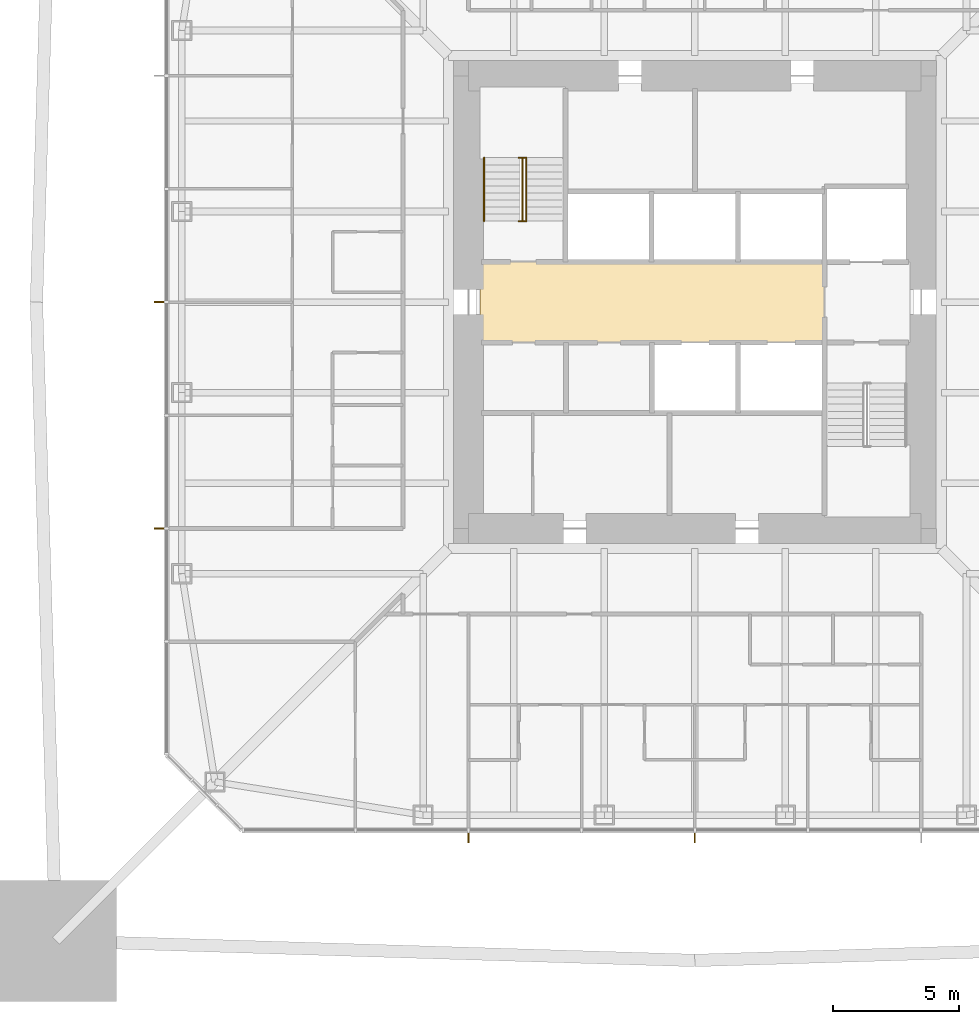
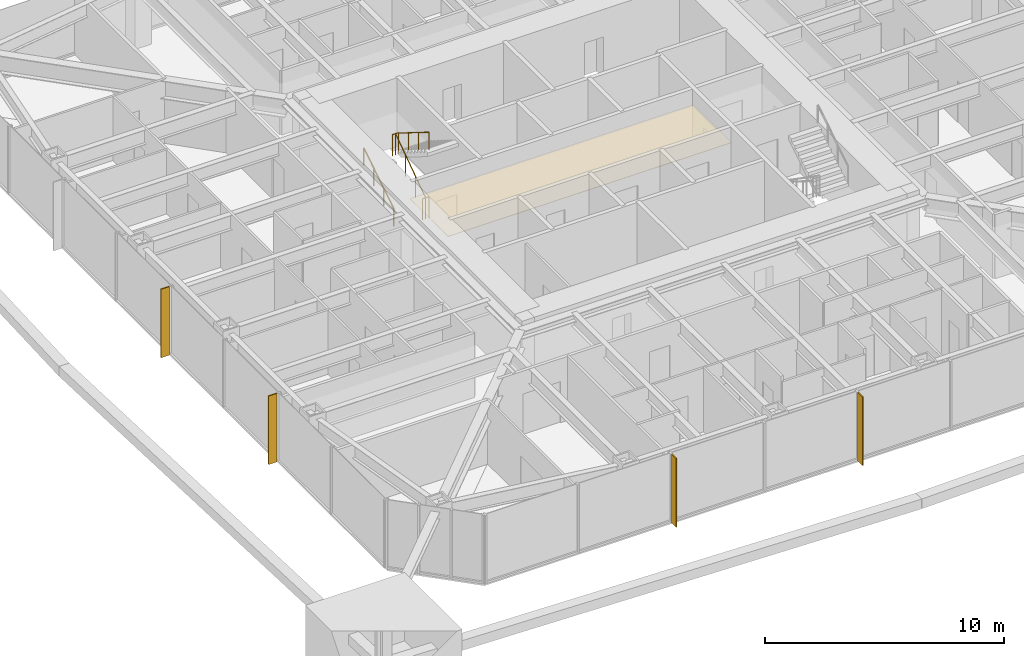
# One storey, part 23 of 27: 4 shading devices, 3 railings, 1 covering.
"""IFC4 building model written with IfcOpenShell, lengths in metres."""

from ifc_helpers import new_model, si_unit, direction, frame, origin, origin_2d, place, context, subcontext, project, spatial, polyline, rectangle, circle, outline, extrude, material, layer, layer_set, constituent, constituent_set, type_object, element, save


model = new_model("IFC4")

# Units and contexts
model_context = context("Model", 3, precision=1e-05, world=origin(), true_north=direction((0.0, 1.0)))
body_context = subcontext(model_context, "Body", "Model", "MODEL_VIEW")
ifc_project = project(units=[si_unit("LENGTHUNIT", "METRE"), si_unit("AREAUNIT", "SQUARE_METRE"), si_unit("VOLUMEUNIT", "CUBIC_METRE"), si_unit("PLANEANGLEUNIT", "RADIAN"), si_unit("MASSUNIT", "GRAM", prefix="KILO")], contexts=[model_context])

# Site, building, storey
site_placement = place(None, origin())
site = spatial("IfcSite", under=ifc_project, at=site_placement, CompositionType="ELEMENT")
building_placement = place(site_placement, origin())
building = spatial("IfcBuilding", under=site, at=building_placement, Name="Iwan Alto Co-Living Towers", CompositionType="ELEMENT")
storey_placement = place(building_placement, frame((0.0, 0.0, 91.0)))
storey = spatial("IfcBuildingStorey", under=building, at=storey_placement, Name="L24", CompositionType="ELEMENT", Elevation=91.0)

# Covering
ifc_material_1 = material(Name="Mineral fibre acoustic tiles on steel grid", Category="steel")
ifc_layer_1 = layer(ifc_material_1, 0.02001953125)
ifc_layer_set_1 = layer_set([ifc_layer_1], Name="ACOUSTIC TILE CEILING 20")
covering_type = type_object("IfcCoveringType", Name="ACOUSTIC TILE CEILING 20", PredefinedType="CEILING", material=ifc_layer_set_1)
covering_placement = place(storey_placement, frame((0.0, 0.0, 2.60009765625)))
element("IfcCovering", 1, at=covering_placement, inside=storey, type_object=covering_type, Name="Ceiling Lift lobby L24", PredefinedType="CEILING", context=body_context, shape_type="SweptSolid", body=[
    extrude(outline(polyline([(-8.550048828125, -1.60009765625), (-8.550048828125, 1.60009765625), (5.14990234375, 1.60009765625), (5.14990234375, -1.60009765625), (-8.550048828125, -1.60009765625)])), origin(), (0.0, 0.0, 1.0), 0.02001953125),
])

# Shading devices
ifc_material_2 = material(Name="Aluminium 6063-T6 bronze anodised", Category="aluminium")
ifc_layer_2 = layer(ifc_material_2, 0.050048828125)
ifc_layer_set_2 = layer_set([ifc_layer_2], Name="BRONZE FIN 50X400")
shading_device_type = type_object("IfcShadingDeviceType", Name="BRONZE FIN 50X400", PredefinedType="USERDEFINED", material=ifc_layer_set_2)
for number, where, z_axis, x_axis, name in (
    (2, (-9.0, -21.300048828125, 0.0), (0.0, 0.0, 1.0), (1.0, 0.0, 0.0), "Bronze fin L24"),
    (3, (0.0, -21.300048828125, 0.0), (0.0, 0.0, 1.0), (1.0, 0.0, 0.0), "Bronze fin L24"),
    (4, (-21.300048828125, 0.0, 0.0), (0.0, 0.0, 1.0), (0.0, -1.0, 0.0), "Bronze fin L24"),
    (5, (-21.300048828125, -9.0, 0.0), (0.0, 0.0, 1.0), (0.0, -1.0, 0.0), "Bronze fin L24"),
):
    element("IfcShadingDevice", number, at=place(storey_placement, frame(where, z_axis=z_axis, x_axis=x_axis)), inside=storey, type_object=shading_device_type, Name=name, ObjectType="LOUVER", PredefinedType="USERDEFINED", context=body_context, shape_type="SweptSolid", body=[
        extrude(rectangle(XDim=0.050048828125, YDim=0.39990234375, at=origin_2d()), origin(), (0.0, 0.0, 1.0), 3.5),
    ])

# Railings
ifc_material_3 = material(Name="Steel ASTM A500 Gr C", Category="steel")
ifc_constituent_1 = constituent(ifc_material_3, Name="Rails and posts", Category="Framing")
ifc_material_4 = material(Name="Steel ASTM A36", Category="steel")
ifc_constituent_2 = constituent(ifc_material_4, Name="Bar infill", Category="Infill")
ifc_constituent_set = constituent_set(constituents=[ifc_constituent_1, ifc_constituent_2], Name="STAIR GUARD 1100")
railing_type_1 = type_object("IfcRailingType", Name="STAIR GUARD 1100", PredefinedType="GUARDRAIL", material=ifc_constituent_set)
railing_1_placement = place(storey_placement, frame((-6.85009765625, 3.219970703125, 0.0)))
element("IfcRailing", 6, at=railing_1_placement, inside=storey, type_object=railing_type_1, Name="Stair T1-S1 well guard L24", PredefinedType="GUARDRAIL", context=body_context, shape_type="SweptSolid", body=[
    extrude(circle(Radius=0.02392578125, at=origin_2d()), frame((0.0, 0.0, 1.076171875), z_axis=(0.0, 0.821372036852, 0.570392826987), x_axis=(-1.0, 0.0, 0.0)), (0.0, 0.0, 1.0), 3.068115234375),
    extrude(circle(Radius=0.02392578125, at=origin_2d()), frame((-0.14990234375, 0.0, 1.076171875), z_axis=(1.0, 0.0, 0.0), x_axis=(0.0, 1.0, 0.0)), (0.0, 0.0, 1.0), 0.300048828125),
    extrude(circle(Radius=0.02392578125, at=origin_2d()), frame((-0.14990234375, 2.52001953125, 2.826171875), z_axis=(1.0, 0.0, 0.0), x_axis=(0.0, 1.0, 0.0)), (0.0, 0.0, 1.0), 0.300048828125),
    extrude(circle(Radius=0.02099609375, at=origin_2d()), origin(), (0.0, 0.0, 1.0), 1.052001953125),
    extrude(circle(Radius=0.02099609375, at=origin_2d()), frame((0.0, 0.840087890625, 0.583251953125)), (0.0, 0.0, 1.0), 1.052001953125),
    extrude(circle(Radius=0.02099609375, at=origin_2d()), frame((0.0, 1.679931640625, 1.166748046875)), (0.0, 0.0, 1.0), 1.052001953125),
    extrude(circle(Radius=0.02099609375, at=origin_2d()), frame((0.0, 2.52001953125, 1.75)), (0.0, 0.0, 1.0), 1.052001953125),
    extrude(circle(Radius=0.02099609375, at=origin_2d()), frame((-0.14990234375, 0.0, 0.0)), (0.0, 0.0, 1.0), 1.052001953125),
    extrude(circle(Radius=0.02099609375, at=origin_2d()), frame((0.150146484375, 0.0, 0.0)), (0.0, 0.0, 1.0), 1.052001953125),
    extrude(circle(Radius=0.02099609375, at=origin_2d()), frame((-0.14990234375, 2.52001953125, 1.75)), (0.0, 0.0, 1.0), 1.052001953125),
    extrude(circle(Radius=0.02099609375, at=origin_2d()), frame((0.150146484375, 2.52001953125, 1.75)), (0.0, 0.0, 1.0), 1.052001953125),
])
ifc_material_5 = material(Name="Steel ASTM A500 Gr C", Category="steel")
railing_type_2 = type_object("IfcRailingType", Name="STAIR HANDRAIL 900", PredefinedType="HANDRAIL", material=ifc_material_5)
railing_2_placement = place(storey_placement, frame((-8.3798828125, 3.219970703125, 0.175048828125)))
element("IfcRailing", 7, at=railing_2_placement, inside=storey, type_object=railing_type_2, Name="Stair T1-S1 handrail 1 L24", PredefinedType="HANDRAIL", context=body_context, shape_type="SweptSolid", body=[
    extrude(circle(Radius=0.02392578125, at=origin_2d()), frame((0.0, 0.0, 0.8759765625), z_axis=(0.0, 0.848007534815, 0.529984170421), x_axis=(-1.0, 0.0, 0.0)), (0.0, 0.0, 1.0), 2.9716796875),
    extrude(circle(Radius=0.02099609375, at=origin_2d()), origin(), (0.0, 0.0, 1.0), 0.851806640625),
    extrude(circle(Radius=0.02099609375, at=origin_2d()), frame((0.0, 0.840087890625, 0.52490234375)), (0.0, 0.0, 1.0), 0.851806640625),
    extrude(circle(Radius=0.02099609375, at=origin_2d()), frame((0.0, 1.679931640625, 1.050048828125)), (0.0, 0.0, 1.0), 0.851806640625),
    extrude(circle(Radius=0.02099609375, at=origin_2d()), frame((0.0, 2.52001953125, 1.574951171875)), (0.0, 0.0, 1.0), 0.851806640625),
])
railing_3_placement = place(storey_placement, frame((-6.699951171875, 5.739990234375, 1.925048828125)))
element("IfcRailing", 8, at=railing_3_placement, inside=storey, type_object=railing_type_2, Name="Stair T1-S1 handrail 2 L24", PredefinedType="HANDRAIL", context=body_context, shape_type="SweptSolid", body=[
    extrude(circle(Radius=0.02392578125, at=origin_2d()), frame((0.0, 0.0, 0.8759765625), z_axis=(0.0, -0.848007534815, 0.529984170421), x_axis=(1.0, 0.0, 0.0)), (0.0, 0.0, 1.0), 2.9716796875),
    extrude(circle(Radius=0.02099609375, at=origin_2d()), origin(), (0.0, 0.0, 1.0), 0.851806640625),
    extrude(circle(Radius=0.02099609375, at=origin_2d()), frame((0.0, -0.840087890625, 0.52490234375)), (0.0, 0.0, 1.0), 0.851806640625),
    extrude(circle(Radius=0.02099609375, at=origin_2d()), frame((0.0, -1.679931640625, 1.050048828125)), (0.0, 0.0, 1.0), 0.851806640625),
    extrude(circle(Radius=0.02099609375, at=origin_2d()), frame((0.0, -2.52001953125, 1.574951171875)), (0.0, 0.0, 1.0), 0.851806640625),
])

save(model, "model.ifc")
